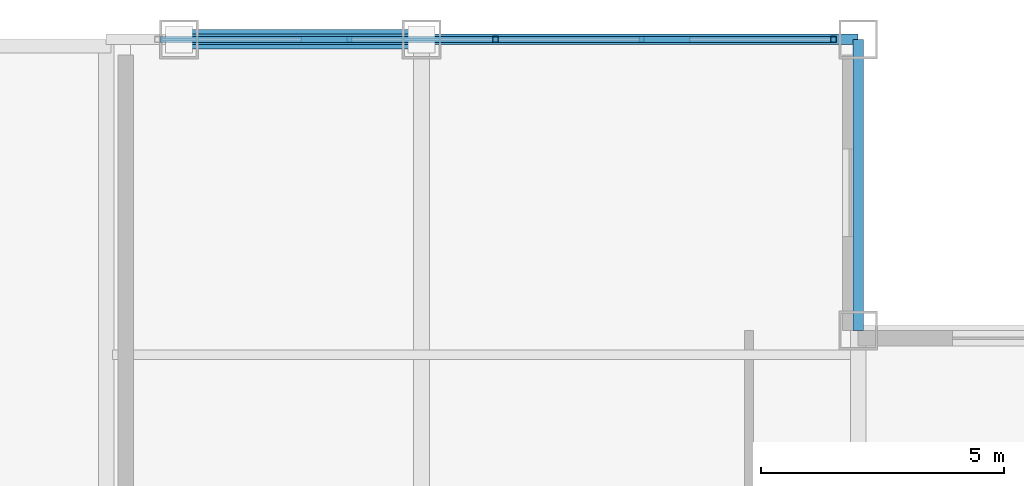
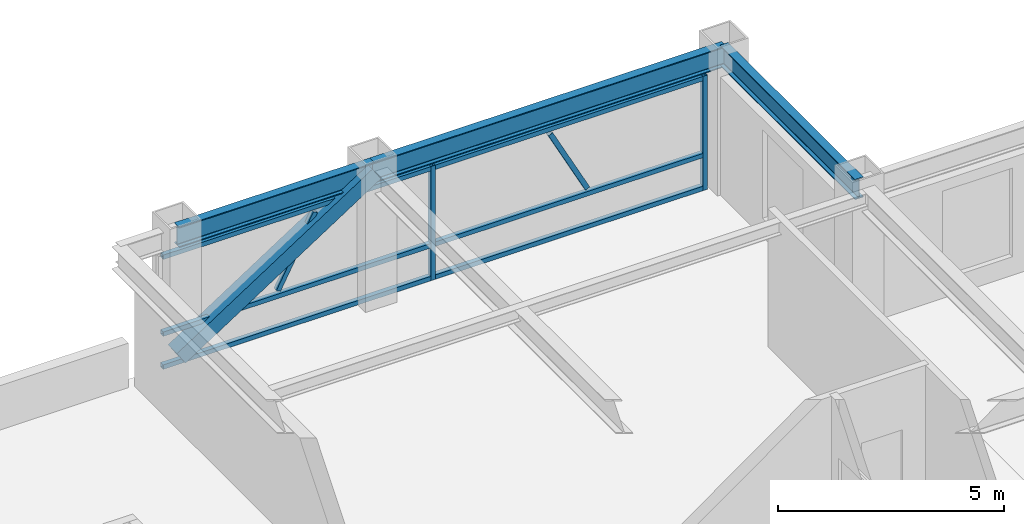
# One storey, part 23 of 29: 11 members, 3 beams, 1 element without a shape of its own.
"""IFC4 building model written with IfcOpenShell, lengths in metres."""

from ifc_helpers import new_model, si_unit, direction, frame, origin, origin_2d, place, context, subcontext, project, spatial, hollow_rectangle, i_section, extrude, source, transform, mapped, material, material_profile, profile_set, type_object, element, aggregate, save


model = new_model("IFC4")

# Units and contexts
model_context = context("Model", 3, precision=1e-05, world=origin(), true_north=direction((0.0, 1.0)))
body_context = subcontext(model_context, "Body", "Model", "MODEL_VIEW")
ifc_project = project(units=[si_unit("LENGTHUNIT", "METRE"), si_unit("AREAUNIT", "SQUARE_METRE"), si_unit("VOLUMEUNIT", "CUBIC_METRE"), si_unit("PLANEANGLEUNIT", "RADIAN"), si_unit("MASSUNIT", "GRAM", prefix="KILO")], contexts=[model_context])

# Site, building, storey
site_placement = place(None, origin())
site = spatial("IfcSite", under=ifc_project, at=site_placement, CompositionType="ELEMENT")
building_placement = place(site_placement, origin())
building = spatial("IfcBuilding", under=site, at=building_placement, Name="Khorayat Bourse Tower", CompositionType="ELEMENT")
storey_placement = place(building_placement, frame((0.0, 0.0, 346.300048828125)))
storey = spatial("IfcBuildingStorey", under=building, at=storey_placement, Name="L82", CompositionType="ELEMENT", Elevation=346.300048828125)

# Beams
ifc_material_1 = material(Name="Steel ASTM A992 Grade 50", Category="steel")
ifc_material_profile_1 = material_profile(ifc_material_1, i_section(OverallWidth=0.214111328125, OverallDepth=0.549072265625, WebThickness=0.0146484375, FlangeThickness=0.023681640625, FilletRadius=0.013916015625, at=origin_2d()), Name="W530X138")
ifc_profile_set_1 = profile_set([ifc_material_profile_1], Name="Steel ASTM A992 Grade 50")
beam_type = type_object("IfcBeamType", Name="BM-SPAN-530", PredefinedType="SPANDREL", material=ifc_profile_set_1)
shared_shape_1 = source(origin(), body_context, "Body", "SweptSolid", [
    extrude(i_section(OverallWidth=0.214111328125, OverallDepth=0.549072265625, WebThickness=0.0146484375, FlangeThickness=0.023681640625, FilletRadius=0.013916015625, at=origin_2d()), origin(), (0.0, 0.0, 1.0), 9.0),
])
beam_1_placement = place(storey_placement, frame((11.0, 26.0, 3.46533203125), z_axis=(1.0, 0.0, 0.0), x_axis=(0.0, 1.0, 0.0)))
element("IfcBeam", 1, at=beam_1_placement, inside=storey, type_object=beam_type, Name="L82 BM-SPAN-530 BM-L82-SPN-037", PredefinedType="SPANDREL", context=body_context, shape_type="MappedRepresentation", body=[
    mapped(shared_shape_1, transform((0.0, 0.0, 0.0), scale=1.0)),
])
shared_shape_2 = source(origin(), body_context, "Body", "SweptSolid", [
    extrude(i_section(OverallWidth=0.214111328125, OverallDepth=0.549072265625, WebThickness=0.0146484375, FlangeThickness=0.023681640625, FilletRadius=0.013916015625, at=origin_2d()), origin(), (0.0, 0.0, 1.0), 5.0),
])
beam_2_placement = place(storey_placement, frame((6.0, 26.0, 3.46533203125), z_axis=(1.0, 0.0, 0.0), x_axis=(0.0, 1.0, 0.0)))
element("IfcBeam", 2, at=beam_2_placement, inside=storey, type_object=beam_type, Name="L82 BM-SPAN-530 BM-L82-SPN-038", PredefinedType="SPANDREL", context=body_context, shape_type="MappedRepresentation", body=[
    mapped(shared_shape_2, transform((0.0, 0.0, 0.0), scale=1.0)),
])
shared_shape_3 = source(origin(), body_context, "Body", "SweptSolid", [
    extrude(i_section(OverallWidth=0.214111328125, OverallDepth=0.549072265625, WebThickness=0.0146484375, FlangeThickness=0.023681640625, FilletRadius=0.013916015625, at=origin_2d()), origin(), (0.0, 0.0, 1.0), 6.0),
])
beam_3_placement = place(storey_placement, frame((20.0, 20.0, 3.46533203125), z_axis=(0.0, 1.0, 0.0), x_axis=(-1.0, 0.0, 0.0)))
element("IfcBeam", 3, at=beam_3_placement, inside=storey, type_object=beam_type, Name="L82 BM-SPAN-530 BM-L82-SPN-036", PredefinedType="SPANDREL", context=body_context, shape_type="MappedRepresentation", body=[
    mapped(shared_shape_3, transform((0.0, 0.0, 0.0), scale=1.0)),
])

# Member
ifc_material_2 = material(Name="Steel EN 10025-4 S460M", Category="steel")
ifc_material_profile_2 = material_profile(ifc_material_2, hollow_rectangle(XDim=0.39990234375, YDim=0.39990234375, WallThickness=0.02197265625, at=origin_2d()), Name="HSS 400x400x22")
ifc_profile_set_2 = profile_set([ifc_material_profile_2], Name="Steel EN 10025-4 S460M")
member_type_1 = type_object("IfcMemberType", Name="MBR-TUBE-400", PredefinedType="BRACE", material=ifc_profile_set_2)
shared_shape_4 = source(origin(), body_context, "Body", "SweptSolid", [
    extrude(hollow_rectangle(XDim=0.39990234375, YDim=0.39990234375, WallThickness=0.02197265625, at=origin_2d()), origin(), (0.0, 0.0, 1.0), 5.9580078125),
])
member_1_placement = place(storey_placement, frame((6.0, 26.0, 0.25), z_axis=(0.839210474455, 0.0, 0.543806748364), x_axis=(0.0, 1.0, 0.0)))
element("IfcMember", 4, at=member_1_placement, inside=storey, type_object=member_type_1, Name="L82 Perimeter Tube Brace 04", PredefinedType="BRACE", context=body_context, shape_type="MappedRepresentation", body=[
    mapped(shared_shape_4, transform((0.0, 0.0, 0.0), scale=1.0)),
])

# Curtain wall, members
ifc_material_3 = material(Name="Aluminium EN AW-6063 T6", Category="aluminium")
curtain_wall_type = type_object("IfcCurtainWallType", Name="CW-SYS-06", PredefinedType="NOTDEFINED", material=ifc_material_3)
curtain_wall_placement = place(storey_placement, origin())
curtain_wall = element("IfcCurtainWall", 5, at=curtain_wall_placement, inside=storey, type_object=curtain_wall_type, Name="L82 Curtain Wall CW-L82-N2", PredefinedType="NOTDEFINED")
ifc_material_profile_3 = material_profile(ifc_material_3, hollow_rectangle(XDim=0.1201171875, YDim=0.1201171875, WallThickness=0.0048828125, at=origin_2d()), Name="ALU 120x120x5")
ifc_profile_set_3 = profile_set([ifc_material_profile_3], Name="Aluminium EN AW-6063 T6")
member_type_2 = type_object("IfcMemberType", Name="CWM-VERT-120", PredefinedType="MULLION", material=ifc_profile_set_3)
shared_shape_5 = source(origin(), body_context, "Body", "SweptSolid", [
    extrude(hollow_rectangle(XDim=0.1201171875, YDim=0.1201171875, WallThickness=0.0048828125, at=origin_2d()), origin(), (0.0, 0.0, 1.0), 3.08984375),
])
member_2_placement = place(storey_placement, frame((19.489990234375, 26.0, 0.0), z_axis=(0.0, 0.0, 1.0), x_axis=(0.0, -1.0, 0.0)))
member_2 = element("IfcMember", 6, at=member_2_placement, type_object=member_type_2, Name="CW-L82-N2 Vertical Mullion 1", PredefinedType="MULLION", context=body_context, shape_type="MappedRepresentation", body=[
    mapped(shared_shape_5, transform((0.0, 0.0, 0.0), scale=1.0)),
])
member_3_placement = place(storey_placement, frame((12.52490234375, 26.0, 0.0), z_axis=(0.0, 0.0, 1.0), x_axis=(0.0, -1.0, 0.0)))
member_3 = element("IfcMember", 7, at=member_3_placement, type_object=member_type_2, Name="CW-L82-N2 Vertical Mullion 2", PredefinedType="MULLION", context=body_context, shape_type="MappedRepresentation", body=[
    mapped(shared_shape_5, transform((0.0, 0.0, 0.0), scale=1.0)),
])
ifc_material_profile_4 = material_profile(ifc_material_3, hollow_rectangle(XDim=0.1201171875, YDim=0.1201171875, WallThickness=0.0048828125, at=origin_2d()), Name="ALU 120x120x5")
ifc_profile_set_4 = profile_set([ifc_material_profile_4], Name="Aluminium EN AW-6063 T6")
member_type_3 = type_object("IfcMemberType", Name="CWM-DIAG-120", PredefinedType="MULLION", material=ifc_profile_set_4)
shared_shape_6 = source(origin(), body_context, "Body", "SweptSolid", [
    extrude(hollow_rectangle(XDim=0.1201171875, YDim=0.1201171875, WallThickness=0.0048828125, at=origin_2d()), origin(), (0.0, 0.0, 1.0), 2.0341796875),
])
member_4_placement = place(storey_placement, frame((16.481201171875, 26.0, 1.08984375), z_axis=(-0.465696964104, 0.0, 0.884944256789), x_axis=(0.0, -1.0, 0.0)))
member_4 = element("IfcMember", 8, at=member_4_placement, type_object=member_type_3, Name="CW-L82-N2 Faceted Diagonal Mullion 1", PredefinedType="MULLION", context=body_context, shape_type="MappedRepresentation", body=[
    mapped(shared_shape_6, transform((0.0, 0.0, 0.0), scale=1.0)),
])
member_5_placement = place(storey_placement, frame((8.56884765625, 26.0, 1.08984375), z_axis=(0.465696964104, 0.0, 0.884944256789), x_axis=(0.0, 1.0, 0.0)))
member_5 = element("IfcMember", 9, at=member_5_placement, type_object=member_type_3, Name="CW-L82-N2 Faceted Diagonal Mullion 2", PredefinedType="MULLION", context=body_context, shape_type="MappedRepresentation", body=[
    mapped(shared_shape_6, transform((0.0, 0.0, 0.0), scale=1.0)),
])
ifc_material_profile_5 = material_profile(ifc_material_3, hollow_rectangle(XDim=0.1201171875, YDim=0.1201171875, WallThickness=0.0048828125, at=origin_2d()), Name="ALU 120x120x5")
ifc_profile_set_5 = profile_set([ifc_material_profile_5], Name="Aluminium EN AW-6063 T6")
member_type_4 = type_object("IfcMemberType", Name="CWT-HORZ-120", PredefinedType="USERDEFINED", material=ifc_profile_set_5)
shared_shape_7 = source(origin(), body_context, "Body", "SweptSolid", [
    extrude(hollow_rectangle(XDim=0.1201171875, YDim=0.1201171875, WallThickness=0.0048828125, at=origin_2d()), origin(), (0.0, 0.0, 1.0), 6.844970703125),
])
member_6_placement = place(storey_placement, frame((19.429931640625, 26.0, 0.06005859375), z_axis=(-1.0, 0.0, 0.0), x_axis=(0.0, -1.0, 0.0)))
member_6 = element("IfcMember", 10, at=member_6_placement, type_object=member_type_4, Name="CW-L82-N2 Horizontal Transom 1-1", ObjectType="TRANSOM", PredefinedType="USERDEFINED", context=body_context, shape_type="MappedRepresentation", body=[
    mapped(shared_shape_7, transform((0.0, 0.0, 0.0), scale=1.0)),
])
member_7_placement = place(storey_placement, frame((19.429931640625, 26.0, 0.949951171875), z_axis=(-1.0, 0.0, 0.0), x_axis=(0.0, -1.0, 0.0)))
member_7 = element("IfcMember", 11, at=member_7_placement, type_object=member_type_4, Name="CW-L82-N2 Horizontal Transom 1-2", ObjectType="TRANSOM", PredefinedType="USERDEFINED", context=body_context, shape_type="MappedRepresentation", body=[
    mapped(shared_shape_7, transform((0.0, 0.0, 0.0), scale=1.0)),
])
member_8_placement = place(storey_placement, frame((19.429931640625, 26.0, 3.030029296875), z_axis=(-1.0, 0.0, 0.0), x_axis=(0.0, -1.0, 0.0)))
member_8 = element("IfcMember", 12, at=member_8_placement, type_object=member_type_4, Name="CW-L82-N2 Horizontal Transom 1-3", ObjectType="TRANSOM", PredefinedType="USERDEFINED", context=body_context, shape_type="MappedRepresentation", body=[
    mapped(shared_shape_7, transform((0.0, 0.0, 0.0), scale=1.0)),
])
member_9_placement = place(storey_placement, frame((12.465087890625, 26.0, 0.06005859375), z_axis=(-1.0, 0.0, 0.0), x_axis=(0.0, -1.0, 0.0)))
member_9 = element("IfcMember", 13, at=member_9_placement, type_object=member_type_4, Name="CW-L82-N2 Horizontal Transom 2-1", ObjectType="TRANSOM", PredefinedType="USERDEFINED", context=body_context, shape_type="MappedRepresentation", body=[
    mapped(shared_shape_7, transform((0.0, 0.0, 0.0), scale=1.0)),
])
member_10_placement = place(storey_placement, frame((12.465087890625, 26.0, 0.949951171875), z_axis=(-1.0, 0.0, 0.0), x_axis=(0.0, -1.0, 0.0)))
member_10 = element("IfcMember", 14, at=member_10_placement, type_object=member_type_4, Name="CW-L82-N2 Horizontal Transom 2-2", ObjectType="TRANSOM", PredefinedType="USERDEFINED", context=body_context, shape_type="MappedRepresentation", body=[
    mapped(shared_shape_7, transform((0.0, 0.0, 0.0), scale=1.0)),
])
member_11_placement = place(storey_placement, frame((12.465087890625, 26.0, 3.030029296875), z_axis=(-1.0, 0.0, 0.0), x_axis=(0.0, -1.0, 0.0)))
member_11 = element("IfcMember", 15, at=member_11_placement, type_object=member_type_4, Name="CW-L82-N2 Horizontal Transom 2-3", ObjectType="TRANSOM", PredefinedType="USERDEFINED", context=body_context, shape_type="MappedRepresentation", body=[
    mapped(shared_shape_7, transform((0.0, 0.0, 0.0), scale=1.0)),
])
aggregate(curtain_wall, [member_2, member_3, member_6, member_7, member_8, member_4, member_9, member_10, member_11, member_5])

save(model, "model.ifc")
